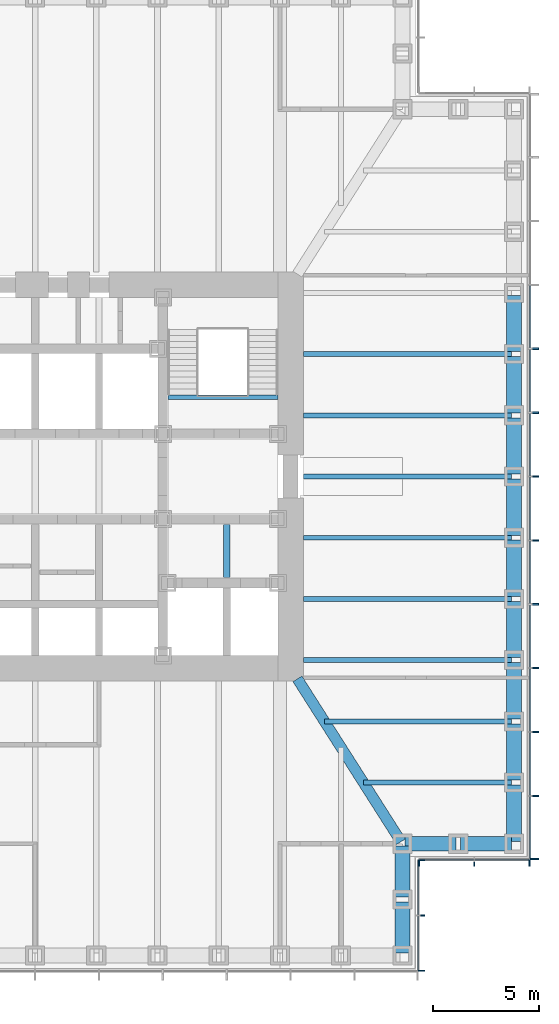
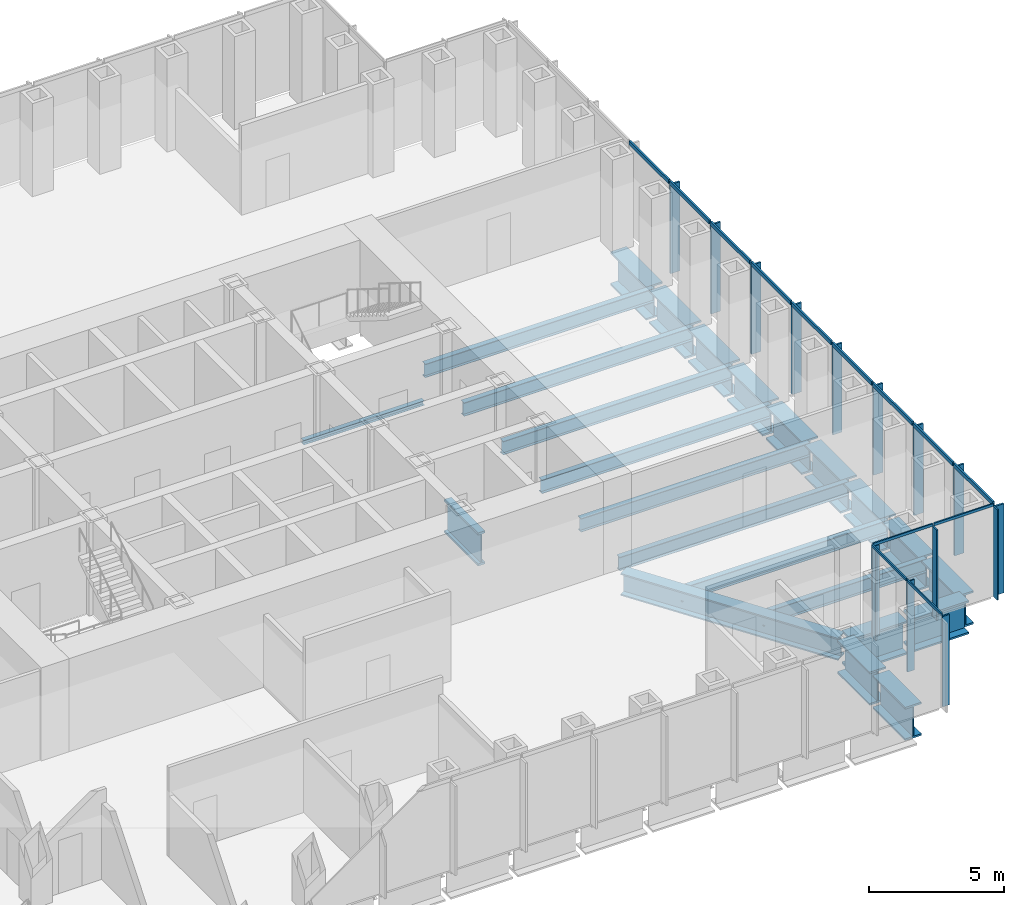
# One storey, part 4 of 16: 28 members, 24 beams, 3 elements without a shape of their own.
"""IFC4 building model written with IfcOpenShell, lengths in metres."""

import ifcopenshell
import ifcopenshell.guid

model = None  # the IFC model being written
_history = None  # IfcOwnerHistory: only IFC2X3 demands one
_inside = {}  # id of a spatial element -> (the spatial element, [elements in it])
_under = {}  # id of a project, library or spatial element -> (it, [spatial elements below it])
_declared = {}  # id of a project -> (the project, [libraries it declares])
_typed = {}  # id of a type object -> (the type object, [elements of that type])
_made_of = {}  # id of a material, layer set ... -> (it, [elements and type objects made of it])


def new_model(schema):
    """Start an empty IFC model of exactly this schema.

    Asked for "IFC4X3", IfcOpenShell would pick the latest addendum, in which some entities
    have other attributes; the version numbers below select the first issue.
    IFC2X3 requires an IfcOwnerHistory on every rooted entity: one is made here for all.
    """
    global model, _history
    if schema == "IFC4X3":
        model = ifcopenshell.file(schema_version=(4, 3, 0, 0))
    else:
        model = ifcopenshell.file(schema=schema)
    _inside.clear()
    _under.clear()
    _declared.clear()
    _typed.clear()
    _made_of.clear()
    _history = None
    if model.schema == "IFC2X3":
        org = make("IfcOrganization", Name="unknown")
        user = make(
            "IfcPersonAndOrganization",
            ThePerson=make("IfcPerson", FamilyName="unknown"),
            TheOrganization=org,
        )
        app = make(
            "IfcApplication",
            ApplicationDeveloper=org,
            Version="unknown",
            ApplicationFullName="unknown",
            ApplicationIdentifier="unknown",
        )
        _history = make(
            "IfcOwnerHistory",
            OwningUser=user,
            OwningApplication=app,
            ChangeAction="ADDED",
            CreationDate=0,
        )
    return model


def make(cls, **values):
    """One entity of the class cls with the attributes given. An attribute that is None is left unset."""
    return model.create_entity(
        cls, **{name: value for name, value in values.items() if value is not None}
    )


def rooted(cls, **values):
    """An entity with a GlobalId (a new one), such as an element, a storey or a relation."""
    return make(cls, GlobalId=ifcopenshell.guid.new(), OwnerHistory=_history, **values)


def si_unit(unit_type, name, prefix=None):
    """IfcSIUnit, for example si_unit("LENGTHUNIT", "METRE", prefix="MILLI")."""
    return make("IfcSIUnit", UnitType=unit_type, Prefix=prefix, Name=name)


def assignment(units):
    """IfcUnitAssignment: the units of a project."""
    return None if units is None else make("IfcUnitAssignment", Units=units)


def point(xyz):
    """IfcCartesianPoint."""
    return None if xyz is None else make("IfcCartesianPoint", Coordinates=xyz)


def direction(xyz):
    """IfcDirection."""
    return None if xyz is None else make("IfcDirection", DirectionRatios=xyz)


def frame(location, z_axis=None, x_axis=None):
    """IfcAxis2Placement3D, a coordinate frame: its origin and axes. An axis left out is left unset."""
    return make(
        "IfcAxis2Placement3D",
        Location=point(location),
        Axis=direction(z_axis),
        RefDirection=direction(x_axis),
    )


def frame_2d(location, x_axis=None):
    """IfcAxis2Placement2D, a coordinate frame in the plane: its origin and x axis."""
    return make(
        "IfcAxis2Placement2D", Location=point(location), RefDirection=direction(x_axis)
    )


def origin():
    """The frame at (0, 0, 0) with its axes left unset."""
    return frame((0.0, 0.0, 0.0))


def origin_2d():
    """The frame at (0, 0) in the plane with its x axis left unset."""
    return frame_2d((0.0, 0.0))


def place(relative_to, where):
    """IfcLocalPlacement: puts the frame where relative to a parent placement (None: the world)."""
    return make(
        "IfcLocalPlacement", PlacementRelTo=relative_to, RelativePlacement=where
    )


def context(
    kind, dimensions, precision=None, world=None, true_north=None, identifier=None
):
    """IfcGeometricRepresentationContext, for example the 3D "Model" context."""
    return make(
        "IfcGeometricRepresentationContext",
        ContextIdentifier=identifier,
        ContextType=kind,
        CoordinateSpaceDimension=dimensions,
        Precision=precision,
        WorldCoordinateSystem=world,
        TrueNorth=true_north,
    )


def subcontext(parent, identifier, kind, view, scale=None):
    """IfcGeometricRepresentationSubContext, for example "Body" below "Model"."""
    return make(
        "IfcGeometricRepresentationSubContext",
        ContextIdentifier=identifier,
        ContextType=kind,
        ParentContext=parent,
        TargetScale=scale,
        TargetView=view,
    )


def project(units=None, contexts=None):
    """IfcProject with its units and contexts."""
    return rooted(
        "IfcProject",
        Name="project",
        RepresentationContexts=contexts,
        UnitsInContext=assignment(units),
    )


def spatial(cls, under=None, at=None, **own):
    """A site, building, storey or space (cls), placed at a placement, below another one or the project."""
    s = rooted(cls, ObjectPlacement=at, **own)
    if under is not None:
        _under.setdefault(under.id(), (under, []))[1].append(s)
    return s


def profile(cls, at=None, kind="AREA", **sizes):
    """A parametric profile (cls). Its sizes go by their IFC names, for example OverallWidth=200.0."""
    return make(cls, ProfileType=kind, Position=at, **sizes)


def rectangle(**sizes):
    """IfcRectangleProfileDef."""
    return profile("IfcRectangleProfileDef", **sizes)


def i_section(**sizes):
    """IfcIShapeProfileDef."""
    return profile("IfcIShapeProfileDef", **sizes)


def extrude(swept, where, along, depth):
    """IfcExtrudedAreaSolid: the profile swept, set in the frame where, extruded along a direction by depth."""
    return make(
        "IfcExtrudedAreaSolid",
        SweptArea=swept,
        Position=where,
        ExtrudedDirection=direction(along),
        Depth=depth,
    )


def shape(context_of_items, identifier, shape_type, items):
    """IfcShapeRepresentation: the items that make up one representation, for example the "Body"."""
    return make(
        "IfcShapeRepresentation",
        ContextOfItems=context_of_items,
        RepresentationIdentifier=identifier,
        RepresentationType=shape_type,
        Items=items,
    )


def material(Name=None, Category=None):
    """IfcMaterial."""
    return make("IfcMaterial", Name=Name, Category=Category)


def material_profile(
    of_material, cross_section, Name=None, Category=None, Priority=None
):
    """IfcMaterialProfile: a cross section and its material."""
    return make(
        "IfcMaterialProfile",
        Name=Name,
        Material=of_material,
        Profile=cross_section,
        Priority=Priority,
        Category=Category,
    )


def profile_set(profiles, Name=None, composite=None):
    """IfcMaterialProfileSet."""
    return make(
        "IfcMaterialProfileSet",
        Name=Name,
        MaterialProfiles=profiles,
        CompositeProfile=composite,
    )


def made_of(thing, what):
    """Note that an element or type object is made of a material, layer set ...; save() writes the relation."""
    if what is not None:
        _made_of.setdefault(what.id(), (what, []))[1].append(thing)
    return thing


def type_object(cls, material=None, **own):
    """A type object (cls), such as IfcWallType, which elements share."""
    return made_of(rooted(cls, **own), material)


def element(
    cls,
    number,
    at=None,
    inside=None,
    cuts=None,
    type_object=None,
    material=None,
    context=None,
    identifier="Body",
    shape_type=None,
    held_by="IfcProductDefinitionShape",
    body=None,
    shapes=None,
    **own,
):
    """One element of the class cls, such as IfcWall. Its Tag is "e" and its number.

    at: its placement. inside: the storey or other place that contains it. cuts: it is an
    opening in that element (IfcRelVoidsElement). A single representation is given by context,
    identifier, shape_type and body (its items); several are given by shapes. held_by: the class
    of the entity that holds the representations. save() writes the other relations.
    """
    e = rooted(cls, Tag="e%d" % number, ObjectPlacement=at, **own)
    if body is not None:
        shapes = [shape(context, identifier, shape_type, body)]
    if shapes is not None:
        e.Representation = make(held_by, Representations=shapes)
    if inside is not None:
        _inside.setdefault(inside.id(), (inside, []))[1].append(e)
    if cuts is not None:
        rooted(
            "IfcRelVoidsElement", RelatingBuildingElement=cuts, RelatedOpeningElement=e
        )
    if type_object is not None:
        _typed.setdefault(type_object.id(), (type_object, []))[1].append(e)
    return made_of(e, material)


def aggregate(whole, parts):
    """IfcRelAggregates: a whole, such as a stair, and the parts it consists of."""
    return rooted("IfcRelAggregates", RelatingObject=whole, RelatedObjects=parts)


def save(model, path):
    """Write the relations noted so far, then the file.

    IfcRelAggregates (storeys below a building ...), IfcRelContainedInSpatialStructure (elements
    in a storey), IfcRelDefinesByType, IfcRelAssociatesMaterial and IfcRelDeclares: one each for
    every whole, place, type object, material and project.
    """
    for whole, parts in _under.values():
        aggregate(whole, parts)
    for where, things in _inside.values():
        rooted(
            "IfcRelContainedInSpatialStructure",
            RelatedElements=things,
            RelatingStructure=where,
        )
    for kind, things in _typed.values():
        rooted("IfcRelDefinesByType", RelatedObjects=things, RelatingType=kind)
    for what, things in _made_of.values():
        rooted("IfcRelAssociatesMaterial", RelatedObjects=things, RelatingMaterial=what)
    for by, libraries in _declared.values():
        rooted("IfcRelDeclares", RelatingContext=by, RelatedDefinitions=libraries)
    model.write(path)


model = new_model("IFC4")

# Units and contexts
model_context = context("Model", 3, precision=1e-05, world=origin(), true_north=direction((0.0, 1.0)))
body_context = subcontext(model_context, "Body", "Model", "MODEL_VIEW")
ifc_project = project(units=[si_unit("LENGTHUNIT", "METRE"), si_unit("AREAUNIT", "SQUARE_METRE"), si_unit("VOLUMEUNIT", "CUBIC_METRE"), si_unit("PLANEANGLEUNIT", "RADIAN"), si_unit("MASSUNIT", "GRAM", prefix="KILO")], contexts=[model_context])

# Site, building, storey
site_placement = place(None, origin())
site = spatial("IfcSite", under=ifc_project, at=site_placement, CompositionType="ELEMENT")
building_placement = place(site_placement, origin())
building = spatial("IfcBuilding", under=site, at=building_placement, Name="Daluyong Arena Tower", CompositionType="ELEMENT")
storey_placement = place(building_placement, frame((0.0, 0.0, 116.5)))
storey = spatial("IfcBuildingStorey", under=building, at=storey_placement, Name="L25", CompositionType="ELEMENT", Elevation=116.5)

# Curtain wall, members
ifc_material_1 = material(Name="Bronze anodised aluminium and glass", Category="aluminium")
curtain_wall_type_1 = type_object("IfcCurtainWallType", Name="Curtain wall CW2", PredefinedType="USERDEFINED", material=ifc_material_1)
curtain_wall_1_placement = place(storey_placement, origin())
curtain_wall_1 = element("IfcCurtainWall", 1, at=curtain_wall_1_placement, inside=storey, type_object=curtain_wall_type_1, Name="curtain wall L25 E", ObjectType="UNITISED CURTAIN WALL", PredefinedType="USERDEFINED")
ifc_material_2 = material(Name="Bronze anodised aluminium fin", Category="aluminium")
ifc_material_profile_1 = material_profile(ifc_material_2, rectangle(XDim=0.39990234375, YDim=0.080078125, at=origin_2d()))
ifc_profile_set_1 = profile_set([ifc_material_profile_1], Name="Bronze anodised aluminium fin")
member_type_1 = type_object("IfcMemberType", Name="CW2 bronze fin 400x80", PredefinedType="MULLION", material=ifc_profile_set_1)
member_1_placement = place(storey_placement, frame((79.449951171875, 62.0400390625, 0.0), z_axis=(0.0, 0.0, 1.0), x_axis=(-1.0, 0.0, 0.0)))
member_1 = element("IfcMember", 2, at=member_1_placement, type_object=member_type_1, Name="curtain wall L25 E fin 1", PredefinedType="MULLION", context=body_context, shape_type="SweptSolid", body=[
    extrude(rectangle(XDim=0.39990234375, YDim=0.080078125, at=origin_2d()), origin(), (0.0, 0.0, 1.0), 4.02001953125),
])
member_2_placement = place(storey_placement, frame((79.449951171875, 65.0, 0.0), z_axis=(0.0, 0.0, 1.0), x_axis=(-1.0, 0.0, 0.0)))
member_2 = element("IfcMember", 3, at=member_2_placement, type_object=member_type_1, Name="curtain wall L25 E fin 2", PredefinedType="MULLION", context=body_context, shape_type="SweptSolid", body=[
    extrude(rectangle(XDim=0.39990234375, YDim=0.080078125, at=origin_2d()), origin(), (0.0, 0.0, 1.0), 4.02001953125),
])
member_3_placement = place(storey_placement, frame((79.449951171875, 68.0, 0.0), z_axis=(0.0, 0.0, 1.0), x_axis=(-1.0, 0.0, 0.0)))
member_3 = element("IfcMember", 4, at=member_3_placement, type_object=member_type_1, Name="curtain wall L25 E fin 3", PredefinedType="MULLION", context=body_context, shape_type="SweptSolid", body=[
    extrude(rectangle(XDim=0.39990234375, YDim=0.080078125, at=origin_2d()), origin(), (0.0, 0.0, 1.0), 4.02001953125),
])
member_4_placement = place(storey_placement, frame((79.449951171875, 71.0, 0.0), z_axis=(0.0, 0.0, 1.0), x_axis=(-1.0, 0.0, 0.0)))
member_4 = element("IfcMember", 5, at=member_4_placement, type_object=member_type_1, Name="curtain wall L25 E fin 4", PredefinedType="MULLION", context=body_context, shape_type="SweptSolid", body=[
    extrude(rectangle(XDim=0.39990234375, YDim=0.080078125, at=origin_2d()), origin(), (0.0, 0.0, 1.0), 4.02001953125),
])
member_5_placement = place(storey_placement, frame((79.449951171875, 74.0, 0.0), z_axis=(0.0, 0.0, 1.0), x_axis=(-1.0, 0.0, 0.0)))
member_5 = element("IfcMember", 6, at=member_5_placement, type_object=member_type_1, Name="curtain wall L25 E fin 5", PredefinedType="MULLION", context=body_context, shape_type="SweptSolid", body=[
    extrude(rectangle(XDim=0.39990234375, YDim=0.080078125, at=origin_2d()), origin(), (0.0, 0.0, 1.0), 4.02001953125),
])
member_6_placement = place(storey_placement, frame((79.449951171875, 77.0, 0.0), z_axis=(0.0, 0.0, 1.0), x_axis=(-1.0, 0.0, 0.0)))
member_6 = element("IfcMember", 7, at=member_6_placement, type_object=member_type_1, Name="curtain wall L25 E fin 6", PredefinedType="MULLION", context=body_context, shape_type="SweptSolid", body=[
    extrude(rectangle(XDim=0.39990234375, YDim=0.080078125, at=origin_2d()), origin(), (0.0, 0.0, 1.0), 4.02001953125),
])
member_7_placement = place(storey_placement, frame((79.449951171875, 80.0, 0.0), z_axis=(0.0, 0.0, 1.0), x_axis=(-1.0, 0.0, 0.0)))
member_7 = element("IfcMember", 8, at=member_7_placement, type_object=member_type_1, Name="curtain wall L25 E fin 7", PredefinedType="MULLION", context=body_context, shape_type="SweptSolid", body=[
    extrude(rectangle(XDim=0.39990234375, YDim=0.080078125, at=origin_2d()), origin(), (0.0, 0.0, 1.0), 4.02001953125),
])
member_8_placement = place(storey_placement, frame((79.449951171875, 83.0, 0.0), z_axis=(0.0, 0.0, 1.0), x_axis=(-1.0, 0.0, 0.0)))
member_8 = element("IfcMember", 9, at=member_8_placement, type_object=member_type_1, Name="curtain wall L25 E fin 8", PredefinedType="MULLION", context=body_context, shape_type="SweptSolid", body=[
    extrude(rectangle(XDim=0.39990234375, YDim=0.080078125, at=origin_2d()), origin(), (0.0, 0.0, 1.0), 4.02001953125),
])
member_9_placement = place(storey_placement, frame((79.449951171875, 86.0, 0.0), z_axis=(0.0, 0.0, 1.0), x_axis=(-1.0, 0.0, 0.0)))
member_9 = element("IfcMember", 10, at=member_9_placement, type_object=member_type_1, Name="curtain wall L25 E fin 9", PredefinedType="MULLION", context=body_context, shape_type="SweptSolid", body=[
    extrude(rectangle(XDim=0.39990234375, YDim=0.080078125, at=origin_2d()), origin(), (0.0, 0.0, 1.0), 4.02001953125),
])
ifc_material_3 = material(Name="Bronze anodised aluminium", Category="aluminium")
ifc_material_profile_2 = material_profile(ifc_material_3, rectangle(XDim=0.080078125, YDim=0.179931640625, at=origin_2d()))
ifc_profile_set_2 = profile_set([ifc_material_profile_2], Name="Bronze anodised aluminium")
member_type_2 = type_object("IfcMemberType", Name="CW2 stack transom 180x80", PredefinedType="USERDEFINED", material=ifc_profile_set_2)
member_10_placement = place(storey_placement, frame((79.25, 62.080078125, 4.110107421875), z_axis=(0.0, 1.0, 0.0), x_axis=(-1.0, 0.0, 0.0)))
member_10 = element("IfcMember", 11, at=member_10_placement, type_object=member_type_2, Name="curtain wall L25 E transom 1", ObjectType="TRANSOM", PredefinedType="USERDEFINED", context=body_context, shape_type="SweptSolid", body=[
    extrude(rectangle(XDim=0.080078125, YDim=0.179931640625, at=origin_2d()), origin(), (0.0, 0.0, 1.0), 2.8798828125),
])
member_11_placement = place(storey_placement, frame((79.25, 65.0400390625, 4.110107421875), z_axis=(0.0, 1.0, 0.0), x_axis=(-1.0, 0.0, 0.0)))
member_11 = element("IfcMember", 12, at=member_11_placement, type_object=member_type_2, Name="curtain wall L25 E transom 2", ObjectType="TRANSOM", PredefinedType="USERDEFINED", context=body_context, shape_type="SweptSolid", body=[
    extrude(rectangle(XDim=0.080078125, YDim=0.179931640625, at=origin_2d()), origin(), (0.0, 0.0, 1.0), 2.919921875),
])
member_12_placement = place(storey_placement, frame((79.25, 68.0400390625, 4.110107421875), z_axis=(0.0, 1.0, 0.0), x_axis=(-1.0, 0.0, 0.0)))
member_12 = element("IfcMember", 13, at=member_12_placement, type_object=member_type_2, Name="curtain wall L25 E transom 3", ObjectType="TRANSOM", PredefinedType="USERDEFINED", context=body_context, shape_type="SweptSolid", body=[
    extrude(rectangle(XDim=0.080078125, YDim=0.179931640625, at=origin_2d()), origin(), (0.0, 0.0, 1.0), 2.919921875),
])
member_13_placement = place(storey_placement, frame((79.25, 71.0400390625, 4.110107421875), z_axis=(0.0, 1.0, 0.0), x_axis=(-1.0, 0.0, 0.0)))
member_13 = element("IfcMember", 14, at=member_13_placement, type_object=member_type_2, Name="curtain wall L25 E transom 4", ObjectType="TRANSOM", PredefinedType="USERDEFINED", context=body_context, shape_type="SweptSolid", body=[
    extrude(rectangle(XDim=0.080078125, YDim=0.179931640625, at=origin_2d()), origin(), (0.0, 0.0, 1.0), 2.919921875),
])
member_14_placement = place(storey_placement, frame((79.25, 74.0400390625, 4.110107421875), z_axis=(0.0, 1.0, 0.0), x_axis=(-1.0, 0.0, 0.0)))
member_14 = element("IfcMember", 15, at=member_14_placement, type_object=member_type_2, Name="curtain wall L25 E transom 5", ObjectType="TRANSOM", PredefinedType="USERDEFINED", context=body_context, shape_type="SweptSolid", body=[
    extrude(rectangle(XDim=0.080078125, YDim=0.179931640625, at=origin_2d()), origin(), (0.0, 0.0, 1.0), 2.919921875),
])
member_15_placement = place(storey_placement, frame((79.25, 77.0400390625, 4.110107421875), z_axis=(0.0, 1.0, 0.0), x_axis=(-1.0, 0.0, 0.0)))
member_15 = element("IfcMember", 16, at=member_15_placement, type_object=member_type_2, Name="curtain wall L25 E transom 6", ObjectType="TRANSOM", PredefinedType="USERDEFINED", context=body_context, shape_type="SweptSolid", body=[
    extrude(rectangle(XDim=0.080078125, YDim=0.179931640625, at=origin_2d()), origin(), (0.0, 0.0, 1.0), 2.919921875),
])
member_16_placement = place(storey_placement, frame((79.25, 80.0400390625, 4.110107421875), z_axis=(0.0, 1.0, 0.0), x_axis=(-1.0, 0.0, 0.0)))
member_16 = element("IfcMember", 17, at=member_16_placement, type_object=member_type_2, Name="curtain wall L25 E transom 7", ObjectType="TRANSOM", PredefinedType="USERDEFINED", context=body_context, shape_type="SweptSolid", body=[
    extrude(rectangle(XDim=0.080078125, YDim=0.179931640625, at=origin_2d()), origin(), (0.0, 0.0, 1.0), 2.919921875),
])
member_17_placement = place(storey_placement, frame((79.25, 83.0400390625, 4.110107421875), z_axis=(0.0, 1.0, 0.0), x_axis=(-1.0, 0.0, 0.0)))
member_17 = element("IfcMember", 18, at=member_17_placement, type_object=member_type_2, Name="curtain wall L25 E transom 8", ObjectType="TRANSOM", PredefinedType="USERDEFINED", context=body_context, shape_type="SweptSolid", body=[
    extrude(rectangle(XDim=0.080078125, YDim=0.179931640625, at=origin_2d()), origin(), (0.0, 0.0, 1.0), 2.919921875),
])
member_18_placement = place(storey_placement, frame((79.25, 86.0400390625, 4.110107421875), z_axis=(0.0, 1.0, 0.0), x_axis=(-1.0, 0.0, 0.0)))
member_18 = element("IfcMember", 19, at=member_18_placement, type_object=member_type_2, Name="curtain wall L25 E transom 9", ObjectType="TRANSOM", PredefinedType="USERDEFINED", context=body_context, shape_type="SweptSolid", body=[
    extrude(rectangle(XDim=0.080078125, YDim=0.179931640625, at=origin_2d()), origin(), (0.0, 0.0, 1.0), 2.919921875),
])
aggregate(curtain_wall_1, [member_1, member_2, member_3, member_4, member_5, member_6, member_7, member_8, member_9, member_10, member_11, member_12, member_13, member_14, member_15, member_16, member_17, member_18])

ifc_material_4 = material(Name="Bronze anodised aluminium and glass", Category="aluminium")
curtain_wall_type_2 = type_object("IfcCurtainWallType", Name="Curtain wall CW7", PredefinedType="USERDEFINED", material=ifc_material_4)
curtain_wall_2_placement = place(storey_placement, origin())
curtain_wall_2 = element("IfcCurtainWall", 20, at=curtain_wall_2_placement, inside=storey, type_object=curtain_wall_type_2, Name="curtain wall L25 SE-E", ObjectType="UNITISED CURTAIN WALL", PredefinedType="USERDEFINED")
ifc_material_5 = material(Name="Bronze anodised aluminium fin", Category="aluminium")
ifc_material_profile_3 = material_profile(ifc_material_5, rectangle(XDim=0.300048828125, YDim=0.06005859375, at=origin_2d()))
ifc_profile_set_3 = profile_set([ifc_material_profile_3], Name="Bronze anodised aluminium fin")
member_type_3 = type_object("IfcMemberType", Name="CW7 bronze fin 300x60", PredefinedType="MULLION", material=ifc_profile_set_3)
member_19_placement = place(storey_placement, frame((74.14990234375, 56.780029296875, 0.0), z_axis=(0.0, 0.0, 1.0), x_axis=(-1.0, 0.0, 0.0)))
member_19 = element("IfcMember", 21, at=member_19_placement, type_object=member_type_3, Name="curtain wall L25 SE-E fin 1", PredefinedType="MULLION", context=body_context, shape_type="SweptSolid", body=[
    extrude(rectangle(XDim=0.300048828125, YDim=0.06005859375, at=origin_2d()), origin(), (0.0, 0.0, 1.0), 4.080078125),
])
member_20_placement = place(storey_placement, frame((74.14990234375, 59.375, 0.0), z_axis=(0.0, 0.0, 1.0), x_axis=(-1.0, 0.0, 0.0)))
member_20 = element("IfcMember", 22, at=member_20_placement, type_object=member_type_3, Name="curtain wall L25 SE-E fin 2", PredefinedType="MULLION", context=body_context, shape_type="SweptSolid", body=[
    extrude(rectangle(XDim=0.300048828125, YDim=0.06005859375, at=origin_2d()), origin(), (0.0, 0.0, 1.0), 4.080078125),
])
member_21_placement = place(storey_placement, frame((74.14990234375, 61.969970703125, 0.0), z_axis=(0.0, 0.0, 1.0), x_axis=(-1.0, 0.0, 0.0)))
member_21 = element("IfcMember", 23, at=member_21_placement, type_object=member_type_3, Name="curtain wall L25 SE-E fin 3", PredefinedType="MULLION", context=body_context, shape_type="SweptSolid", body=[
    extrude(rectangle(XDim=0.300048828125, YDim=0.06005859375, at=origin_2d()), origin(), (0.0, 0.0, 1.0), 4.080078125),
])

curtain_wall_3_placement = place(storey_placement, origin())
curtain_wall_3 = element("IfcCurtainWall", 24, at=curtain_wall_3_placement, inside=storey, type_object=curtain_wall_type_2, Name="curtain wall L25 SE-S", ObjectType="UNITISED CURTAIN WALL", PredefinedType="USERDEFINED")
member_22_placement = place(storey_placement, frame((74.030029296875, 61.85009765625, 0.0), z_axis=(0.0, 0.0, 1.0), x_axis=(0.0, 1.0, 0.0)))
member_22 = element("IfcMember", 25, at=member_22_placement, type_object=member_type_3, Name="curtain wall L25 SE-S fin 1", PredefinedType="MULLION", context=body_context, shape_type="SweptSolid", body=[
    extrude(rectangle(XDim=0.300048828125, YDim=0.06005859375, at=origin_2d()), origin(), (0.0, 0.0, 1.0), 4.080078125),
])
member_23_placement = place(storey_placement, frame((76.625, 61.85009765625, 0.0), z_axis=(0.0, 0.0, 1.0), x_axis=(0.0, 1.0, 0.0)))
member_23 = element("IfcMember", 26, at=member_23_placement, type_object=member_type_3, Name="curtain wall L25 SE-S fin 2", PredefinedType="MULLION", context=body_context, shape_type="SweptSolid", body=[
    extrude(rectangle(XDim=0.300048828125, YDim=0.06005859375, at=origin_2d()), origin(), (0.0, 0.0, 1.0), 4.080078125),
])
member_24_placement = place(storey_placement, frame((79.219970703125, 61.85009765625, 0.0), z_axis=(0.0, 0.0, 1.0), x_axis=(0.0, 1.0, 0.0)))
member_24 = element("IfcMember", 27, at=member_24_placement, type_object=member_type_3, Name="curtain wall L25 SE-S fin 3", PredefinedType="MULLION", context=body_context, shape_type="SweptSolid", body=[
    extrude(rectangle(XDim=0.300048828125, YDim=0.06005859375, at=origin_2d()), origin(), (0.0, 0.0, 1.0), 4.080078125),
])

# Member
ifc_material_6 = material(Name="Bronze anodised aluminium", Category="aluminium")
ifc_material_profile_4 = material_profile(ifc_material_6, rectangle(XDim=0.06005859375, YDim=0.1201171875, at=origin_2d()))
ifc_profile_set_4 = profile_set([ifc_material_profile_4], Name="Bronze anodised aluminium")
member_type_4 = type_object("IfcMemberType", Name="CW7 stack transom 120x60", PredefinedType="USERDEFINED", material=ifc_profile_set_4)
member_25_placement = place(storey_placement, frame((74.0, 56.81005859375, 4.139892578125), z_axis=(0.0, 1.0, 0.0), x_axis=(-1.0, 0.0, 0.0)))
member_25 = element("IfcMember", 28, at=member_25_placement, type_object=member_type_4, Name="curtain wall L25 SE-E transom 1", ObjectType="TRANSOM", PredefinedType="USERDEFINED", context=body_context, shape_type="SweptSolid", body=[
    extrude(rectangle(XDim=0.06005859375, YDim=0.1201171875, at=origin_2d()), origin(), (0.0, 0.0, 1.0), 2.534912109375),
])

member_26_placement = place(storey_placement, frame((74.0, 59.405029296875, 4.139892578125), z_axis=(0.0, 1.0, 0.0), x_axis=(-1.0, 0.0, 0.0)))
member_26 = element("IfcMember", 29, at=member_26_placement, type_object=member_type_4, Name="curtain wall L25 SE-E transom 2", ObjectType="TRANSOM", PredefinedType="USERDEFINED", context=body_context, shape_type="SweptSolid", body=[
    extrude(rectangle(XDim=0.06005859375, YDim=0.1201171875, at=origin_2d()), origin(), (0.0, 0.0, 1.0), 2.534912109375),
])

aggregate(curtain_wall_2, [member_19, member_20, member_21, member_25, member_26])

member_27_placement = place(storey_placement, frame((74.06005859375, 62.0, 4.139892578125), z_axis=(1.0, 0.0, 0.0), x_axis=(0.0, 1.0, 0.0)))
member_27 = element("IfcMember", 30, at=member_27_placement, type_object=member_type_4, Name="curtain wall L25 SE-S transom 1", ObjectType="TRANSOM", PredefinedType="USERDEFINED", context=body_context, shape_type="SweptSolid", body=[
    extrude(rectangle(XDim=0.06005859375, YDim=0.1201171875, at=origin_2d()), origin(), (0.0, 0.0, 1.0), 2.534912109375),
])

member_28_placement = place(storey_placement, frame((76.655029296875, 62.0, 4.139892578125), z_axis=(1.0, 0.0, 0.0), x_axis=(0.0, 1.0, 0.0)))
member_28 = element("IfcMember", 31, at=member_28_placement, type_object=member_type_4, Name="curtain wall L25 SE-S transom 2", ObjectType="TRANSOM", PredefinedType="USERDEFINED", context=body_context, shape_type="SweptSolid", body=[
    extrude(rectangle(XDim=0.06005859375, YDim=0.1201171875, at=origin_2d()), origin(), (0.0, 0.0, 1.0), 2.534912109375),
])

aggregate(curtain_wall_3, [member_22, member_23, member_24, member_27, member_28])

# Beams
ifc_material_7 = material(Name="Steel ASTM A572 Grade 50", Category="steel")
ifc_material_profile_5 = material_profile(ifc_material_7, i_section(OverallWidth=0.5, OverallDepth=1.0, WebThickness=0.03, FlangeThickness=0.06, at=origin_2d()))
ifc_profile_set_5 = profile_set([ifc_material_profile_5], Name="Steel ASTM A572 Grade 50")
beam_type_1 = type_object("IfcBeamType", Name="Corner girder TB1000X500", PredefinedType="BEAM", material=ifc_profile_set_5)
beam_1_placement = place(storey_placement, frame((73.188232421875, 62.846923828125, -0.659912109375), z_axis=(-0.536872006459, 0.843663705916, 0.0), x_axis=(-0.843663705916, -0.536872006459, 0.0)))
element("IfcBeam", 32, at=beam_1_placement, inside=storey, type_object=beam_type_1, Name="corner girder DG2", PredefinedType="BEAM", context=body_context, shape_type="SweptSolid", body=[
    extrude(i_section(OverallWidth=0.5, OverallDepth=1.0, WebThickness=0.03, FlangeThickness=0.06, at=origin_2d()), origin(), (0.0, 0.0, 1.0), 9.06396484375),
])
ifc_material_8 = material(Name="Steel ASTM A992 Grade 50", Category="steel")
ifc_material_profile_6 = material_profile(ifc_material_8, i_section(OverallWidth=0.22900390625, OverallDepth=0.612060546875, WebThickness=0.011962890625, FlangeThickness=0.01953125, at=origin_2d()))
ifc_profile_set_6 = profile_set([ifc_material_profile_6], Name="Steel ASTM A992 Grade 50")
beam_type_2 = type_object("IfcBeamType", Name="Floor beam W24X84", PredefinedType="BEAM", material=ifc_profile_set_6)
beam_2_placement = place(storey_placement, frame((78.385009765625, 65.625, -0.466064453125), z_axis=(-1.0, 0.0, 0.0), x_axis=(0.0, -1.0, 0.0)))
element("IfcBeam", 33, at=beam_2_placement, inside=storey, type_object=beam_type_2, Name="floor beam FB3", PredefinedType="BEAM", context=body_context, shape_type="SweptSolid", body=[
    extrude(i_section(OverallWidth=0.22900390625, OverallDepth=0.612060546875, WebThickness=0.011962890625, FlangeThickness=0.01953125, at=origin_2d()), origin(), (0.0, 0.0, 1.0), 6.964599609375),
])
beam_3_placement = place(storey_placement, frame((78.385009765625, 68.5, -0.466064453125), z_axis=(-1.0, 0.0, 0.0), x_axis=(0.0, -1.0, 0.0)))
element("IfcBeam", 34, at=beam_3_placement, inside=storey, type_object=beam_type_2, Name="floor beam FB3", PredefinedType="BEAM", context=body_context, shape_type="SweptSolid", body=[
    extrude(i_section(OverallWidth=0.22900390625, OverallDepth=0.612060546875, WebThickness=0.011962890625, FlangeThickness=0.01953125, at=origin_2d()), origin(), (0.0, 0.0, 1.0), 8.794189453125),
])
for number, where, z_axis, x_axis, name in (
    (35, (78.385009765625, 71.375, -0.466064453125), (-1.0, 0.0, 0.0), (0.0, -1.0, 0.0), "floor beam FB3"),
    (36, (78.385009765625, 74.25, -0.466064453125), (-1.0, 0.0, 0.0), (0.0, -1.0, 0.0), "floor beam FB3"),
    (37, (78.385009765625, 77.125, -0.466064453125), (-1.0, 0.0, 0.0), (0.0, -1.0, 0.0), "floor beam FB3"),
    (38, (78.385009765625, 80.0, -0.466064453125), (-1.0, 0.0, 0.0), (0.0, -1.0, 0.0), "floor beam FB3"),
    (39, (78.385009765625, 82.875, -0.466064453125), (-1.0, 0.0, 0.0), (0.0, -1.0, 0.0), "floor beam FB3"),
    (40, (78.385009765625, 85.75, -0.466064453125), (-1.0, 0.0, 0.0), (0.0, -1.0, 0.0), "floor beam FB3"),
):
    element("IfcBeam", number, at=place(storey_placement, frame(where, z_axis=z_axis, x_axis=x_axis)), inside=storey, type_object=beam_type_2, Name=name, PredefinedType="BEAM", context=body_context, shape_type="SweptSolid", body=[
        extrude(i_section(OverallWidth=0.22900390625, OverallDepth=0.612060546875, WebThickness=0.011962890625, FlangeThickness=0.01953125, at=origin_2d()), origin(), (0.0, 0.0, 1.0), 9.784912109375),
    ])
ifc_material_9 = material(Name="Steel ASTM A572 Grade 50", Category="steel")
ifc_material_profile_7 = material_profile(ifc_material_9, i_section(OverallWidth=0.300048828125, OverallDepth=1.5, WebThickness=0.04, FlangeThickness=0.1, at=origin_2d()))
ifc_profile_set_7 = profile_set([ifc_material_profile_7], Name="Steel ASTM A572 Grade 50")
beam_type_3 = type_object("IfcBeamType", Name="Lift divider beam PG1500X300", PredefinedType="BEAM", material=ifc_profile_set_7)
beam_4_placement = place(storey_placement, frame((65.0, 75.25, -0.909912109375), z_axis=(0.0, 1.0, 0.0), x_axis=(-1.0, 0.0, 0.0)))
element("IfcBeam", 41, at=beam_4_placement, inside=storey, type_object=beam_type_3, Name="lift divider beam DB2", PredefinedType="BEAM", context=body_context, shape_type="SweptSolid", body=[
    extrude(i_section(OverallWidth=0.300048828125, OverallDepth=1.5, WebThickness=0.04, FlangeThickness=0.1, at=origin_2d()), origin(), (0.0, 0.0, 1.0), 2.5),
])
ifc_material_10 = material(Name="Steel ASTM A572 Grade 50", Category="steel")
ifc_material_profile_8 = material_profile(ifc_material_10, i_section(OverallWidth=0.699951171875, OverallDepth=1.5, WebThickness=0.04, FlangeThickness=0.08, at=origin_2d()))
ifc_profile_set_8 = profile_set([ifc_material_profile_8], Name="Steel ASTM A572 Grade 50")
beam_type_4 = type_object("IfcBeamType", Name="Spandrel Z2 PG1500X700", PredefinedType="SPANDREL", material=ifc_profile_set_8)
for number, where, z_axis, x_axis, name in (
    (42, (73.25, 57.614990234375, -0.909912109375), (0.0, 1.0, 0.0), (-1.0, 0.0, 0.0), "spandrel z2 SB6"),
    (43, (73.25, 60.239990234375, -0.909912109375), (0.0, 1.0, 0.0), (-1.0, 0.0, 0.0), "spandrel z2 SB6"),
    (44, (73.364990234375, 62.75, -0.909912109375), (1.0, 0.0, 0.0), (0.0, 1.0, 0.0), "spandrel z2 SB6"),
    (45, (75.989990234375, 62.75, -0.909912109375), (1.0, 0.0, 0.0), (0.0, 1.0, 0.0), "spandrel z2 SB6"),
):
    element("IfcBeam", number, at=place(storey_placement, frame(where, z_axis=z_axis, x_axis=x_axis)), inside=storey, type_object=beam_type_4, Name=name, PredefinedType="SPANDREL", context=body_context, shape_type="SweptSolid", body=[
        extrude(i_section(OverallWidth=0.699951171875, OverallDepth=1.5, WebThickness=0.04, FlangeThickness=0.08, at=origin_2d()), origin(), (0.0, 0.0, 1.0), 2.39501953125),
    ])
for number, where, z_axis, x_axis, name in (
    (46, (78.5, 62.864990234375, -0.909912109375), (0.0, 1.0, 0.0), (-1.0, 0.0, 0.0), "spandrel z2 SB6"),
    (47, (78.5, 65.739990234375, -0.909912109375), (0.0, 1.0, 0.0), (-1.0, 0.0, 0.0), "spandrel z2 SB6"),
    (48, (78.5, 68.614990234375, -0.909912109375), (0.0, 1.0, 0.0), (-1.0, 0.0, 0.0), "spandrel z2 SB6"),
    (49, (78.5, 71.489990234375, -0.909912109375), (0.0, 1.0, 0.0), (-1.0, 0.0, 0.0), "spandrel z2 SB6"),
    (50, (78.5, 74.364990234375, -0.909912109375), (0.0, 1.0, 0.0), (-1.0, 0.0, 0.0), "spandrel z2 SB6"),
    (51, (78.5, 77.239990234375, -0.909912109375), (0.0, 1.0, 0.0), (-1.0, 0.0, 0.0), "spandrel z2 SB6"),
    (52, (78.5, 80.114990234375, -0.909912109375), (0.0, 1.0, 0.0), (-1.0, 0.0, 0.0), "spandrel z2 SB6"),
    (53, (78.5, 82.989990234375, -0.909912109375), (0.0, 1.0, 0.0), (-1.0, 0.0, 0.0), "spandrel z2 SB6"),
    (54, (78.5, 85.864990234375, -0.909912109375), (0.0, 1.0, 0.0), (-1.0, 0.0, 0.0), "spandrel z2 SB6"),
):
    element("IfcBeam", number, at=place(storey_placement, frame(where, z_axis=z_axis, x_axis=x_axis)), inside=storey, type_object=beam_type_4, Name=name, PredefinedType="SPANDREL", context=body_context, shape_type="SweptSolid", body=[
        extrude(i_section(OverallWidth=0.699951171875, OverallDepth=1.5, WebThickness=0.04, FlangeThickness=0.08, at=origin_2d()), origin(), (0.0, 0.0, 1.0), 2.64501953125),
    ])
ifc_material_11 = material(Name="Steel ASTM A992 Grade 50", Category="steel")
ifc_material_profile_9 = material_profile(ifc_material_11, i_section(OverallWidth=0.203125, OverallDepth=0.203125, WebThickness=0.00732421875, FlangeThickness=0.010986328125, at=origin_2d()))
ifc_profile_set_9 = profile_set([ifc_material_profile_9], Name="Steel ASTM A992 Grade 50")
beam_type_5 = type_object("IfcBeamType", Name="Stair landing beam W8X31", PredefinedType="BEAM", material=ifc_profile_set_9)
beam_5_placement = place(storey_placement, frame((62.25, 83.723388671875, -0.26171875), z_axis=(1.0, 0.0, 0.0), x_axis=(0.0, 1.0, 0.0)))
element("IfcBeam", 55, at=beam_5_placement, inside=storey, type_object=beam_type_5, Name="exit stair B landing beam", PredefinedType="BEAM", context=body_context, shape_type="SweptSolid", body=[
    extrude(i_section(OverallWidth=0.203125, OverallDepth=0.203125, WebThickness=0.00732421875, FlangeThickness=0.010986328125, at=origin_2d()), origin(), (0.0, 0.0, 1.0), 5.14990234375),
])

save(model, "model.ifc")
